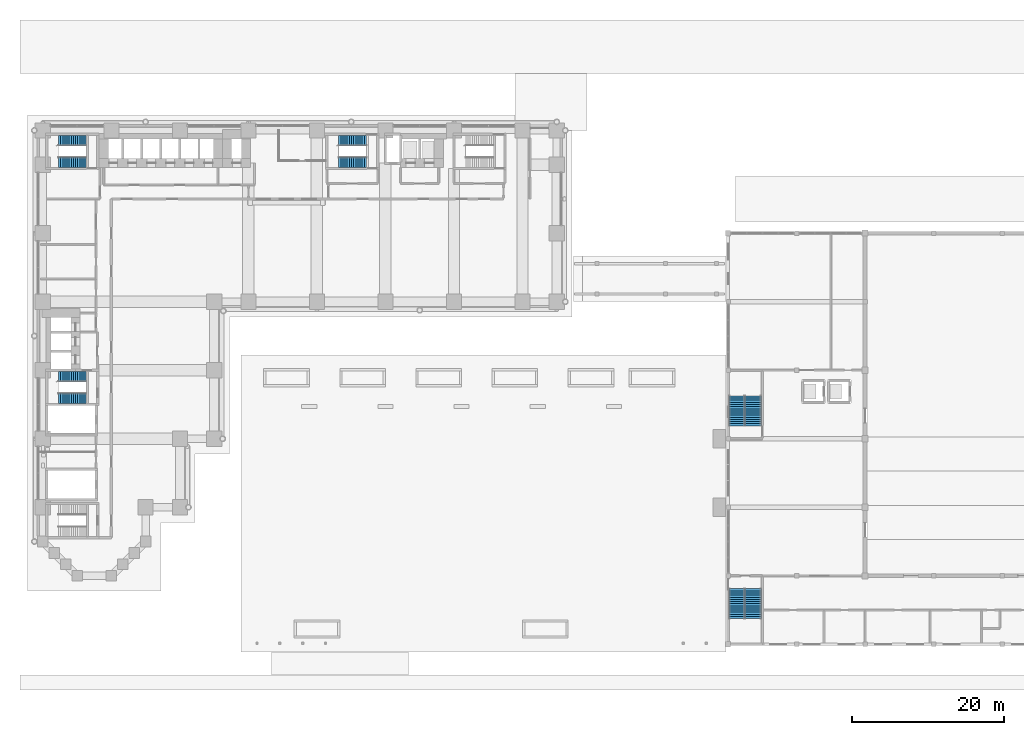
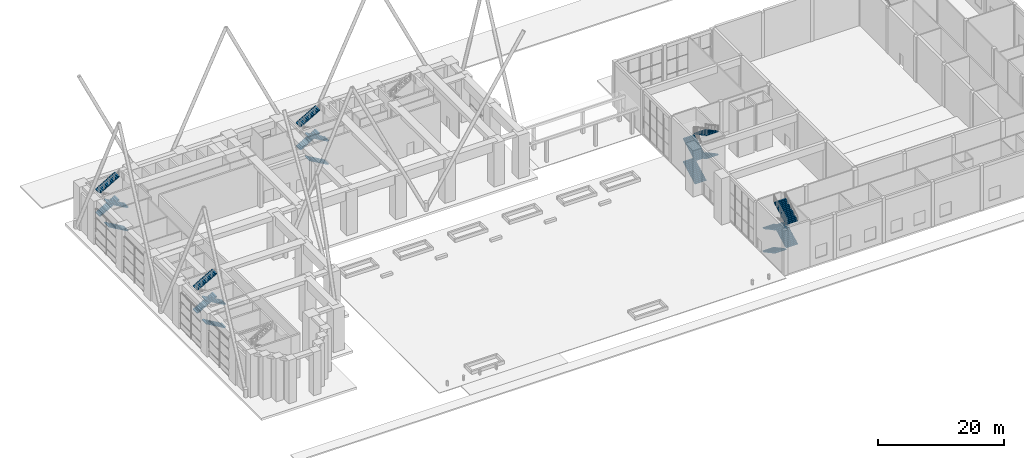
# One storey, part 36 of 44: 20 stair flights, 5 elements without a shape of their own.
"""IFC4 building model written with IfcOpenShell, lengths in metres."""

import ifcopenshell
import ifcopenshell.guid

model = None  # the IFC model being written
_history = None  # IfcOwnerHistory: only IFC2X3 demands one
_inside = {}  # id of a spatial element -> (the spatial element, [elements in it])
_under = {}  # id of a project, library or spatial element -> (it, [spatial elements below it])
_declared = {}  # id of a project -> (the project, [libraries it declares])
_typed = {}  # id of a type object -> (the type object, [elements of that type])
_made_of = {}  # id of a material, layer set ... -> (it, [elements and type objects made of it])


def new_model(schema):
    """Start an empty IFC model of exactly this schema.

    Asked for "IFC4X3", IfcOpenShell would pick the latest addendum, in which some entities
    have other attributes; the version numbers below select the first issue.
    IFC2X3 requires an IfcOwnerHistory on every rooted entity: one is made here for all.
    """
    global model, _history
    if schema == "IFC4X3":
        model = ifcopenshell.file(schema_version=(4, 3, 0, 0))
    else:
        model = ifcopenshell.file(schema=schema)
    _inside.clear()
    _under.clear()
    _declared.clear()
    _typed.clear()
    _made_of.clear()
    _history = None
    if model.schema == "IFC2X3":
        org = make("IfcOrganization", Name="unknown")
        user = make(
            "IfcPersonAndOrganization",
            ThePerson=make("IfcPerson", FamilyName="unknown"),
            TheOrganization=org,
        )
        app = make(
            "IfcApplication",
            ApplicationDeveloper=org,
            Version="unknown",
            ApplicationFullName="unknown",
            ApplicationIdentifier="unknown",
        )
        _history = make(
            "IfcOwnerHistory",
            OwningUser=user,
            OwningApplication=app,
            ChangeAction="ADDED",
            CreationDate=0,
        )
    return model


def make(cls, **values):
    """One entity of the class cls with the attributes given. An attribute that is None is left unset."""
    return model.create_entity(
        cls, **{name: value for name, value in values.items() if value is not None}
    )


def rooted(cls, **values):
    """An entity with a GlobalId (a new one), such as an element, a storey or a relation."""
    return make(cls, GlobalId=ifcopenshell.guid.new(), OwnerHistory=_history, **values)


def si_unit(unit_type, name, prefix=None):
    """IfcSIUnit, for example si_unit("LENGTHUNIT", "METRE", prefix="MILLI")."""
    return make("IfcSIUnit", UnitType=unit_type, Prefix=prefix, Name=name)


def assignment(units):
    """IfcUnitAssignment: the units of a project."""
    return None if units is None else make("IfcUnitAssignment", Units=units)


def point(xyz):
    """IfcCartesianPoint."""
    return None if xyz is None else make("IfcCartesianPoint", Coordinates=xyz)


def direction(xyz):
    """IfcDirection."""
    return None if xyz is None else make("IfcDirection", DirectionRatios=xyz)


def frame(location, z_axis=None, x_axis=None):
    """IfcAxis2Placement3D, a coordinate frame: its origin and axes. An axis left out is left unset."""
    return make(
        "IfcAxis2Placement3D",
        Location=point(location),
        Axis=direction(z_axis),
        RefDirection=direction(x_axis),
    )


def origin():
    """The frame at (0, 0, 0) with its axes left unset."""
    return frame((0.0, 0.0, 0.0))


def place(relative_to, where):
    """IfcLocalPlacement: puts the frame where relative to a parent placement (None: the world)."""
    return make(
        "IfcLocalPlacement", PlacementRelTo=relative_to, RelativePlacement=where
    )


def context(
    kind, dimensions, precision=None, world=None, true_north=None, identifier=None
):
    """IfcGeometricRepresentationContext, for example the 3D "Model" context."""
    return make(
        "IfcGeometricRepresentationContext",
        ContextIdentifier=identifier,
        ContextType=kind,
        CoordinateSpaceDimension=dimensions,
        Precision=precision,
        WorldCoordinateSystem=world,
        TrueNorth=true_north,
    )


def subcontext(parent, identifier, kind, view, scale=None):
    """IfcGeometricRepresentationSubContext, for example "Body" below "Model"."""
    return make(
        "IfcGeometricRepresentationSubContext",
        ContextIdentifier=identifier,
        ContextType=kind,
        ParentContext=parent,
        TargetScale=scale,
        TargetView=view,
    )


def project(units=None, contexts=None):
    """IfcProject with its units and contexts."""
    return rooted(
        "IfcProject",
        Name="project",
        RepresentationContexts=contexts,
        UnitsInContext=assignment(units),
    )


def spatial(cls, under=None, at=None, **own):
    """A site, building, storey or space (cls), placed at a placement, below another one or the project."""
    s = rooted(cls, ObjectPlacement=at, **own)
    if under is not None:
        _under.setdefault(under.id(), (under, []))[1].append(s)
    return s


def polyline(points):
    """IfcPolyline through the points."""
    return make("IfcPolyline", Points=[point(p) for p in points])


def outline(outer, holes=None, kind="AREA"):
    """IfcArbitraryClosedProfileDef: a profile drawn as a closed curve; with holes, ...WithVoids."""
    if holes is None:
        return make("IfcArbitraryClosedProfileDef", ProfileType=kind, OuterCurve=outer)
    return make(
        "IfcArbitraryProfileDefWithVoids",
        ProfileType=kind,
        OuterCurve=outer,
        InnerCurves=holes,
    )


def extrude(swept, where, along, depth):
    """IfcExtrudedAreaSolid: the profile swept, set in the frame where, extruded along a direction by depth."""
    return make(
        "IfcExtrudedAreaSolid",
        SweptArea=swept,
        Position=where,
        ExtrudedDirection=direction(along),
        Depth=depth,
    )


def shape(context_of_items, identifier, shape_type, items):
    """IfcShapeRepresentation: the items that make up one representation, for example the "Body"."""
    return make(
        "IfcShapeRepresentation",
        ContextOfItems=context_of_items,
        RepresentationIdentifier=identifier,
        RepresentationType=shape_type,
        Items=items,
    )


def material(Name=None, Category=None):
    """IfcMaterial."""
    return make("IfcMaterial", Name=Name, Category=Category)


def layer(
    of_material, thickness, ventilated=None, Name=None, Category=None, Priority=None
):
    """IfcMaterialLayer: one layer of a wall or slab, of a material (None: an air gap)."""
    return make(
        "IfcMaterialLayer",
        Material=of_material,
        LayerThickness=thickness,
        IsVentilated=ventilated,
        Name=Name,
        Category=Category,
        Priority=Priority,
    )


def layer_set(layers, Name=None):
    """IfcMaterialLayerSet."""
    return make("IfcMaterialLayerSet", MaterialLayers=layers, LayerSetName=Name)


def made_of(thing, what):
    """Note that an element or type object is made of a material, layer set ...; save() writes the relation."""
    if what is not None:
        _made_of.setdefault(what.id(), (what, []))[1].append(thing)
    return thing


def type_object(cls, material=None, **own):
    """A type object (cls), such as IfcWallType, which elements share."""
    return made_of(rooted(cls, **own), material)


def element(
    cls,
    number,
    at=None,
    inside=None,
    cuts=None,
    type_object=None,
    material=None,
    context=None,
    identifier="Body",
    shape_type=None,
    held_by="IfcProductDefinitionShape",
    body=None,
    shapes=None,
    **own,
):
    """One element of the class cls, such as IfcWall. Its Tag is "e" and its number.

    at: its placement. inside: the storey or other place that contains it. cuts: it is an
    opening in that element (IfcRelVoidsElement). A single representation is given by context,
    identifier, shape_type and body (its items); several are given by shapes. held_by: the class
    of the entity that holds the representations. save() writes the other relations.
    """
    e = rooted(cls, Tag="e%d" % number, ObjectPlacement=at, **own)
    if body is not None:
        shapes = [shape(context, identifier, shape_type, body)]
    if shapes is not None:
        e.Representation = make(held_by, Representations=shapes)
    if inside is not None:
        _inside.setdefault(inside.id(), (inside, []))[1].append(e)
    if cuts is not None:
        rooted(
            "IfcRelVoidsElement", RelatingBuildingElement=cuts, RelatedOpeningElement=e
        )
    if type_object is not None:
        _typed.setdefault(type_object.id(), (type_object, []))[1].append(e)
    return made_of(e, material)


def aggregate(whole, parts):
    """IfcRelAggregates: a whole, such as a stair, and the parts it consists of."""
    return rooted("IfcRelAggregates", RelatingObject=whole, RelatedObjects=parts)


def save(model, path):
    """Write the relations noted so far, then the file.

    IfcRelAggregates (storeys below a building ...), IfcRelContainedInSpatialStructure (elements
    in a storey), IfcRelDefinesByType, IfcRelAssociatesMaterial and IfcRelDeclares: one each for
    every whole, place, type object, material and project.
    """
    for whole, parts in _under.values():
        aggregate(whole, parts)
    for where, things in _inside.values():
        rooted(
            "IfcRelContainedInSpatialStructure",
            RelatedElements=things,
            RelatingStructure=where,
        )
    for kind, things in _typed.values():
        rooted("IfcRelDefinesByType", RelatedObjects=things, RelatingType=kind)
    for what, things in _made_of.values():
        rooted("IfcRelAssociatesMaterial", RelatedObjects=things, RelatingMaterial=what)
    for by, libraries in _declared.values():
        rooted("IfcRelDeclares", RelatingContext=by, RelatedDefinitions=libraries)
    model.write(path)


model = new_model("IFC4")

# Units and contexts
model_context = context("Model", 3, precision=1e-05, world=origin(), true_north=direction((0.0, 1.0)))
body_context = subcontext(model_context, "Body", "Model", "MODEL_VIEW")
ifc_project = project(units=[si_unit("LENGTHUNIT", "METRE"), si_unit("AREAUNIT", "SQUARE_METRE"), si_unit("VOLUMEUNIT", "CUBIC_METRE"), si_unit("PLANEANGLEUNIT", "RADIAN"), si_unit("MASSUNIT", "GRAM", prefix="KILO")], contexts=[model_context])

# Site, building, storey
site_placement = place(None, origin())
site = spatial("IfcSite", under=ifc_project, at=site_placement, CompositionType="ELEMENT")
building_placement = place(site_placement, origin())
building = spatial("IfcBuilding", under=site, at=building_placement, Name="Firuza Court", CompositionType="ELEMENT")
storey_placement = place(building_placement, origin())
storey = spatial("IfcBuildingStorey", under=building, at=storey_placement, Name="L00", CompositionType="ELEMENT", Elevation=0.0)

# Stair, stair flights
ifc_material_1 = material(Name="Concrete C40/50 precast", Category="concrete")
stair_type_1 = type_object("IfcStairType", Name="Stair 1350 x 9000 4 flights", PredefinedType="QUARTER_TURN_STAIR", material=ifc_material_1)
stair_1_placement = place(storey_placement, origin())
stair_1 = element("IfcStair", 1, at=stair_1_placement, inside=storey, type_object=stair_type_1, Name="Stair 1 L00", PredefinedType="QUARTER_TURN_STAIR")
ifc_material_2 = material(Name="Concrete C40/50 precast", Category="concrete")
stair_flight_type_1 = type_object("IfcStairFlightType", Name="Flight 1350 riser 160.7", PredefinedType="STRAIGHT", material=ifc_material_2)
stair_flight_1_placement = place(storey_placement, frame((42.5, 54.324951171875, 0.0), z_axis=(0.0, 0.0, 1.0), x_axis=(-1.0, 0.0, 0.0)))
stair_flight_1 = element("IfcStairFlight", 2, at=stair_flight_1_placement, type_object=stair_flight_type_1, Name="S1 flight 1", NumberOfRisers=14, NumberOfTreads=13, PredefinedType="STRAIGHT", RiserHeight=0.160714286, TreadLength=0.28, context=body_context, shape_type="SweptSolid", body=[
    extrude(outline(polyline([(0.0, 0.0), (0.0, 0.16064453125), (0.280029296875, 0.16064453125), (0.280029296875, 0.321533203125), (0.56005859375, 0.321533203125), (0.56005859375, 0.482177734375), (0.840087890625, 0.482177734375), (0.840087890625, 0.642822265625), (1.1201171875, 0.642822265625), (1.1201171875, 0.803466796875), (1.39990234375, 0.803466796875), (1.39990234375, 0.96435546875), (1.679931640625, 0.96435546875), (1.679931640625, 1.125), (1.9599609375, 1.125), (1.9599609375, 1.28564453125), (2.239990234375, 1.28564453125), (2.239990234375, 1.446533203125), (2.52001953125, 1.446533203125), (2.52001953125, 1.607177734375), (2.800048828125, 1.607177734375), (2.800048828125, 1.767822265625), (3.080078125, 1.767822265625), (3.080078125, 1.928466796875), (3.360107421875, 1.928466796875), (3.360107421875, 2.08935546875), (3.639892578125, 2.08935546875), (3.639892578125, 2.25), (3.639892578125, 1.91650390625), (0.301025390625, 0.0), (0.0, 0.0)])), frame((0.0, 0.675048828125, 0.0), z_axis=(0.0, -1.0, 0.0), x_axis=(1.0, 0.0, 0.0)), (0.0, 0.0, 1.0), 1.35009765625),
])
stair_flight_2_placement = place(storey_placement, frame((38.860107421875, 57.175048828125, 2.25), z_axis=(0.0, 0.0, 1.0), x_axis=(1.0, 0.0, 0.0)))
stair_flight_2 = element("IfcStairFlight", 3, at=stair_flight_2_placement, type_object=stair_flight_type_1, Name="S1 flight 2", NumberOfRisers=14, NumberOfTreads=13, PredefinedType="STRAIGHT", RiserHeight=0.160714286, TreadLength=0.28, context=body_context, shape_type="SweptSolid", body=[
    extrude(outline(polyline([(0.0, 0.0), (0.0, 0.16064453125), (0.280029296875, 0.16064453125), (0.280029296875, 0.321533203125), (0.56005859375, 0.321533203125), (0.56005859375, 0.482177734375), (0.840087890625, 0.482177734375), (0.840087890625, 0.642822265625), (1.1201171875, 0.642822265625), (1.1201171875, 0.803466796875), (1.39990234375, 0.803466796875), (1.39990234375, 0.96435546875), (1.679931640625, 0.96435546875), (1.679931640625, 1.125), (1.9599609375, 1.125), (1.9599609375, 1.28564453125), (2.239990234375, 1.28564453125), (2.239990234375, 1.446533203125), (2.52001953125, 1.446533203125), (2.52001953125, 1.607177734375), (2.800048828125, 1.607177734375), (2.800048828125, 1.767822265625), (3.080078125, 1.767822265625), (3.080078125, 1.928466796875), (3.360107421875, 1.928466796875), (3.360107421875, 2.08935546875), (3.639892578125, 2.08935546875), (3.639892578125, 2.25), (3.639892578125, 1.91650390625), (0.301025390625, 0.0), (0.0, 0.0)])), frame((0.0, 0.675048828125, 0.0), z_axis=(0.0, -1.0, 0.0), x_axis=(1.0, 0.0, 0.0)), (0.0, 0.0, 1.0), 1.35009765625),
])
stair_flight_3_placement = place(storey_placement, frame((42.5, 54.324951171875, 4.5), z_axis=(0.0, 0.0, 1.0), x_axis=(-1.0, 0.0, 0.0)))
stair_flight_3 = element("IfcStairFlight", 4, at=stair_flight_3_placement, type_object=stair_flight_type_1, Name="S1 flight 3", NumberOfRisers=14, NumberOfTreads=13, PredefinedType="STRAIGHT", RiserHeight=0.160714286, TreadLength=0.28, context=body_context, shape_type="SweptSolid", body=[
    extrude(outline(polyline([(0.0, 0.0), (0.0, 0.16064453125), (0.280029296875, 0.16064453125), (0.280029296875, 0.321533203125), (0.56005859375, 0.321533203125), (0.56005859375, 0.482177734375), (0.840087890625, 0.482177734375), (0.840087890625, 0.642822265625), (1.1201171875, 0.642822265625), (1.1201171875, 0.803466796875), (1.39990234375, 0.803466796875), (1.39990234375, 0.96435546875), (1.679931640625, 0.96435546875), (1.679931640625, 1.125), (1.9599609375, 1.125), (1.9599609375, 1.28564453125), (2.239990234375, 1.28564453125), (2.239990234375, 1.446533203125), (2.52001953125, 1.446533203125), (2.52001953125, 1.607177734375), (2.800048828125, 1.607177734375), (2.800048828125, 1.767822265625), (3.080078125, 1.767822265625), (3.080078125, 1.928466796875), (3.360107421875, 1.928466796875), (3.360107421875, 2.08935546875), (3.639892578125, 2.08935546875), (3.639892578125, 2.25), (3.639892578125, 1.91650390625), (0.301025390625, 0.0), (0.0, 0.0)])), frame((0.0, 0.675048828125, 0.0), z_axis=(0.0, -1.0, 0.0), x_axis=(1.0, 0.0, 0.0)), (0.0, 0.0, 1.0), 1.35009765625),
])
stair_flight_4_placement = place(storey_placement, frame((38.860107421875, 57.175048828125, 6.75), z_axis=(0.0, 0.0, 1.0), x_axis=(1.0, 0.0, 0.0)))
stair_flight_4 = element("IfcStairFlight", 5, at=stair_flight_4_placement, type_object=stair_flight_type_1, Name="S1 flight 4", NumberOfRisers=14, NumberOfTreads=13, PredefinedType="STRAIGHT", RiserHeight=0.160714286, TreadLength=0.28, context=body_context, shape_type="SweptSolid", body=[
    extrude(outline(polyline([(0.0, 0.0), (0.0, 0.16064453125), (0.280029296875, 0.16064453125), (0.280029296875, 0.321533203125), (0.56005859375, 0.321533203125), (0.56005859375, 0.482177734375), (0.840087890625, 0.482177734375), (0.840087890625, 0.642822265625), (1.1201171875, 0.642822265625), (1.1201171875, 0.803466796875), (1.39990234375, 0.803466796875), (1.39990234375, 0.96435546875), (1.679931640625, 0.96435546875), (1.679931640625, 1.125), (1.9599609375, 1.125), (1.9599609375, 1.28564453125), (2.239990234375, 1.28564453125), (2.239990234375, 1.446533203125), (2.52001953125, 1.446533203125), (2.52001953125, 1.607177734375), (2.800048828125, 1.607177734375), (2.800048828125, 1.767822265625), (3.080078125, 1.767822265625), (3.080078125, 1.928466796875), (3.360107421875, 1.928466796875), (3.360107421875, 2.08935546875), (3.639892578125, 2.08935546875), (3.639892578125, 2.25), (3.639892578125, 1.91650390625), (0.301025390625, 0.0), (0.0, 0.0)])), frame((0.0, 0.675048828125, 0.0), z_axis=(0.0, -1.0, 0.0), x_axis=(1.0, 0.0, 0.0)), (0.0, 0.0, 1.0), 1.35009765625),
])
aggregate(stair_1, [stair_flight_1, stair_flight_2, stair_flight_3, stair_flight_4])

stair_2_placement = place(storey_placement, origin())
stair_2 = element("IfcStair", 6, at=stair_2_placement, inside=storey, type_object=stair_type_1, Name="Stair 2 L00", PredefinedType="QUARTER_TURN_STAIR")
stair_flight_5_placement = place(storey_placement, frame((5.699951171875, 23.324951171875, 0.0), z_axis=(0.0, 0.0, 1.0), x_axis=(-1.0, 0.0, 0.0)))
stair_flight_5 = element("IfcStairFlight", 7, at=stair_flight_5_placement, type_object=stair_flight_type_1, Name="S2 flight 1", NumberOfRisers=14, NumberOfTreads=13, PredefinedType="STRAIGHT", RiserHeight=0.160714286, TreadLength=0.28, context=body_context, shape_type="SweptSolid", body=[
    extrude(outline(polyline([(0.0, 0.0), (0.0, 0.16064453125), (0.280029296875, 0.16064453125), (0.280029296875, 0.321533203125), (0.56005859375, 0.321533203125), (0.56005859375, 0.482177734375), (0.840087890625, 0.482177734375), (0.840087890625, 0.642822265625), (1.1201171875, 0.642822265625), (1.1201171875, 0.803466796875), (1.39990234375, 0.803466796875), (1.39990234375, 0.96435546875), (1.679931640625, 0.96435546875), (1.679931640625, 1.125), (1.9599609375, 1.125), (1.9599609375, 1.28564453125), (2.239990234375, 1.28564453125), (2.239990234375, 1.446533203125), (2.52001953125, 1.446533203125), (2.52001953125, 1.607177734375), (2.800048828125, 1.607177734375), (2.800048828125, 1.767822265625), (3.080078125, 1.767822265625), (3.080078125, 1.928466796875), (3.360107421875, 1.928466796875), (3.360107421875, 2.08935546875), (3.639892578125, 2.08935546875), (3.639892578125, 2.25), (3.639892578125, 1.91650390625), (0.301025390625, 0.0), (0.0, 0.0)])), frame((0.0, 0.675048828125, 0.0), z_axis=(0.0, -1.0, 0.0), x_axis=(1.0, 0.0, 0.0)), (0.0, 0.0, 1.0), 1.35009765625),
])
stair_flight_6_placement = place(storey_placement, frame((2.06005859375, 26.175048828125, 2.25), z_axis=(0.0, 0.0, 1.0), x_axis=(1.0, 0.0, 0.0)))
stair_flight_6 = element("IfcStairFlight", 8, at=stair_flight_6_placement, type_object=stair_flight_type_1, Name="S2 flight 2", NumberOfRisers=14, NumberOfTreads=13, PredefinedType="STRAIGHT", RiserHeight=0.160714286, TreadLength=0.28, context=body_context, shape_type="SweptSolid", body=[
    extrude(outline(polyline([(0.0, 0.0), (0.0, 0.16064453125), (0.280029296875, 0.16064453125), (0.280029296875, 0.321533203125), (0.56005859375, 0.321533203125), (0.56005859375, 0.482177734375), (0.840087890625, 0.482177734375), (0.840087890625, 0.642822265625), (1.1201171875, 0.642822265625), (1.1201171875, 0.803466796875), (1.39990234375, 0.803466796875), (1.39990234375, 0.96435546875), (1.679931640625, 0.96435546875), (1.679931640625, 1.125), (1.9599609375, 1.125), (1.9599609375, 1.28564453125), (2.239990234375, 1.28564453125), (2.239990234375, 1.446533203125), (2.52001953125, 1.446533203125), (2.52001953125, 1.607177734375), (2.800048828125, 1.607177734375), (2.800048828125, 1.767822265625), (3.080078125, 1.767822265625), (3.080078125, 1.928466796875), (3.360107421875, 1.928466796875), (3.360107421875, 2.08935546875), (3.639892578125, 2.08935546875), (3.639892578125, 2.25), (3.639892578125, 1.91650390625), (0.301025390625, 0.0), (0.0, 0.0)])), frame((0.0, 0.675048828125, 0.0), z_axis=(0.0, -1.0, 0.0), x_axis=(1.0, 0.0, 0.0)), (0.0, 0.0, 1.0), 1.35009765625),
])
stair_flight_7_placement = place(storey_placement, frame((5.699951171875, 23.324951171875, 4.5), z_axis=(0.0, 0.0, 1.0), x_axis=(-1.0, 0.0, 0.0)))
stair_flight_7 = element("IfcStairFlight", 9, at=stair_flight_7_placement, type_object=stair_flight_type_1, Name="S2 flight 3", NumberOfRisers=14, NumberOfTreads=13, PredefinedType="STRAIGHT", RiserHeight=0.160714286, TreadLength=0.28, context=body_context, shape_type="SweptSolid", body=[
    extrude(outline(polyline([(0.0, 0.0), (0.0, 0.16064453125), (0.280029296875, 0.16064453125), (0.280029296875, 0.321533203125), (0.56005859375, 0.321533203125), (0.56005859375, 0.482177734375), (0.840087890625, 0.482177734375), (0.840087890625, 0.642822265625), (1.1201171875, 0.642822265625), (1.1201171875, 0.803466796875), (1.39990234375, 0.803466796875), (1.39990234375, 0.96435546875), (1.679931640625, 0.96435546875), (1.679931640625, 1.125), (1.9599609375, 1.125), (1.9599609375, 1.28564453125), (2.239990234375, 1.28564453125), (2.239990234375, 1.446533203125), (2.52001953125, 1.446533203125), (2.52001953125, 1.607177734375), (2.800048828125, 1.607177734375), (2.800048828125, 1.767822265625), (3.080078125, 1.767822265625), (3.080078125, 1.928466796875), (3.360107421875, 1.928466796875), (3.360107421875, 2.08935546875), (3.639892578125, 2.08935546875), (3.639892578125, 2.25), (3.639892578125, 1.91650390625), (0.301025390625, 0.0), (0.0, 0.0)])), frame((0.0, 0.675048828125, 0.0), z_axis=(0.0, -1.0, 0.0), x_axis=(1.0, 0.0, 0.0)), (0.0, 0.0, 1.0), 1.35009765625),
])
stair_flight_8_placement = place(storey_placement, frame((2.06005859375, 26.175048828125, 6.75), z_axis=(0.0, 0.0, 1.0), x_axis=(1.0, 0.0, 0.0)))
stair_flight_8 = element("IfcStairFlight", 10, at=stair_flight_8_placement, type_object=stair_flight_type_1, Name="S2 flight 4", NumberOfRisers=14, NumberOfTreads=13, PredefinedType="STRAIGHT", RiserHeight=0.160714286, TreadLength=0.28, context=body_context, shape_type="SweptSolid", body=[
    extrude(outline(polyline([(0.0, 0.0), (0.0, 0.16064453125), (0.280029296875, 0.16064453125), (0.280029296875, 0.321533203125), (0.56005859375, 0.321533203125), (0.56005859375, 0.482177734375), (0.840087890625, 0.482177734375), (0.840087890625, 0.642822265625), (1.1201171875, 0.642822265625), (1.1201171875, 0.803466796875), (1.39990234375, 0.803466796875), (1.39990234375, 0.96435546875), (1.679931640625, 0.96435546875), (1.679931640625, 1.125), (1.9599609375, 1.125), (1.9599609375, 1.28564453125), (2.239990234375, 1.28564453125), (2.239990234375, 1.446533203125), (2.52001953125, 1.446533203125), (2.52001953125, 1.607177734375), (2.800048828125, 1.607177734375), (2.800048828125, 1.767822265625), (3.080078125, 1.767822265625), (3.080078125, 1.928466796875), (3.360107421875, 1.928466796875), (3.360107421875, 2.08935546875), (3.639892578125, 2.08935546875), (3.639892578125, 2.25), (3.639892578125, 1.91650390625), (0.301025390625, 0.0), (0.0, 0.0)])), frame((0.0, 0.675048828125, 0.0), z_axis=(0.0, -1.0, 0.0), x_axis=(1.0, 0.0, 0.0)), (0.0, 0.0, 1.0), 1.35009765625),
])
aggregate(stair_2, [stair_flight_5, stair_flight_6, stair_flight_7, stair_flight_8])

stair_3_placement = place(storey_placement, origin())
stair_3 = element("IfcStair", 11, at=stair_3_placement, inside=storey, type_object=stair_type_1, Name="Stair 3 L00", PredefinedType="QUARTER_TURN_STAIR")
stair_flight_9_placement = place(storey_placement, frame((5.699951171875, 54.324951171875, 0.0), z_axis=(0.0, 0.0, 1.0), x_axis=(-1.0, 0.0, 0.0)))
stair_flight_9 = element("IfcStairFlight", 12, at=stair_flight_9_placement, type_object=stair_flight_type_1, Name="S3 flight 1", NumberOfRisers=14, NumberOfTreads=13, PredefinedType="STRAIGHT", RiserHeight=0.160714286, TreadLength=0.28, context=body_context, shape_type="SweptSolid", body=[
    extrude(outline(polyline([(0.0, 0.0), (0.0, 0.16064453125), (0.280029296875, 0.16064453125), (0.280029296875, 0.321533203125), (0.56005859375, 0.321533203125), (0.56005859375, 0.482177734375), (0.840087890625, 0.482177734375), (0.840087890625, 0.642822265625), (1.1201171875, 0.642822265625), (1.1201171875, 0.803466796875), (1.39990234375, 0.803466796875), (1.39990234375, 0.96435546875), (1.679931640625, 0.96435546875), (1.679931640625, 1.125), (1.9599609375, 1.125), (1.9599609375, 1.28564453125), (2.239990234375, 1.28564453125), (2.239990234375, 1.446533203125), (2.52001953125, 1.446533203125), (2.52001953125, 1.607177734375), (2.800048828125, 1.607177734375), (2.800048828125, 1.767822265625), (3.080078125, 1.767822265625), (3.080078125, 1.928466796875), (3.360107421875, 1.928466796875), (3.360107421875, 2.08935546875), (3.639892578125, 2.08935546875), (3.639892578125, 2.25), (3.639892578125, 1.91650390625), (0.301025390625, 0.0), (0.0, 0.0)])), frame((0.0, 0.675048828125, 0.0), z_axis=(0.0, -1.0, 0.0), x_axis=(1.0, 0.0, 0.0)), (0.0, 0.0, 1.0), 1.35009765625),
])
stair_flight_10_placement = place(storey_placement, frame((2.06005859375, 57.175048828125, 2.25), z_axis=(0.0, 0.0, 1.0), x_axis=(1.0, 0.0, 0.0)))
stair_flight_10 = element("IfcStairFlight", 13, at=stair_flight_10_placement, type_object=stair_flight_type_1, Name="S3 flight 2", NumberOfRisers=14, NumberOfTreads=13, PredefinedType="STRAIGHT", RiserHeight=0.160714286, TreadLength=0.28, context=body_context, shape_type="SweptSolid", body=[
    extrude(outline(polyline([(0.0, 0.0), (0.0, 0.16064453125), (0.280029296875, 0.16064453125), (0.280029296875, 0.321533203125), (0.56005859375, 0.321533203125), (0.56005859375, 0.482177734375), (0.840087890625, 0.482177734375), (0.840087890625, 0.642822265625), (1.1201171875, 0.642822265625), (1.1201171875, 0.803466796875), (1.39990234375, 0.803466796875), (1.39990234375, 0.96435546875), (1.679931640625, 0.96435546875), (1.679931640625, 1.125), (1.9599609375, 1.125), (1.9599609375, 1.28564453125), (2.239990234375, 1.28564453125), (2.239990234375, 1.446533203125), (2.52001953125, 1.446533203125), (2.52001953125, 1.607177734375), (2.800048828125, 1.607177734375), (2.800048828125, 1.767822265625), (3.080078125, 1.767822265625), (3.080078125, 1.928466796875), (3.360107421875, 1.928466796875), (3.360107421875, 2.08935546875), (3.639892578125, 2.08935546875), (3.639892578125, 2.25), (3.639892578125, 1.91650390625), (0.301025390625, 0.0), (0.0, 0.0)])), frame((0.0, 0.675048828125, 0.0), z_axis=(0.0, -1.0, 0.0), x_axis=(1.0, 0.0, 0.0)), (0.0, 0.0, 1.0), 1.35009765625),
])
stair_flight_11_placement = place(storey_placement, frame((5.699951171875, 54.324951171875, 4.5), z_axis=(0.0, 0.0, 1.0), x_axis=(-1.0, 0.0, 0.0)))
stair_flight_11 = element("IfcStairFlight", 14, at=stair_flight_11_placement, type_object=stair_flight_type_1, Name="S3 flight 3", NumberOfRisers=14, NumberOfTreads=13, PredefinedType="STRAIGHT", RiserHeight=0.160714286, TreadLength=0.28, context=body_context, shape_type="SweptSolid", body=[
    extrude(outline(polyline([(0.0, 0.0), (0.0, 0.16064453125), (0.280029296875, 0.16064453125), (0.280029296875, 0.321533203125), (0.56005859375, 0.321533203125), (0.56005859375, 0.482177734375), (0.840087890625, 0.482177734375), (0.840087890625, 0.642822265625), (1.1201171875, 0.642822265625), (1.1201171875, 0.803466796875), (1.39990234375, 0.803466796875), (1.39990234375, 0.96435546875), (1.679931640625, 0.96435546875), (1.679931640625, 1.125), (1.9599609375, 1.125), (1.9599609375, 1.28564453125), (2.239990234375, 1.28564453125), (2.239990234375, 1.446533203125), (2.52001953125, 1.446533203125), (2.52001953125, 1.607177734375), (2.800048828125, 1.607177734375), (2.800048828125, 1.767822265625), (3.080078125, 1.767822265625), (3.080078125, 1.928466796875), (3.360107421875, 1.928466796875), (3.360107421875, 2.08935546875), (3.639892578125, 2.08935546875), (3.639892578125, 2.25), (3.639892578125, 1.91650390625), (0.301025390625, 0.0), (0.0, 0.0)])), frame((0.0, 0.675048828125, 0.0), z_axis=(0.0, -1.0, 0.0), x_axis=(1.0, 0.0, 0.0)), (0.0, 0.0, 1.0), 1.35009765625),
])
stair_flight_12_placement = place(storey_placement, frame((2.06005859375, 57.175048828125, 6.75), z_axis=(0.0, 0.0, 1.0), x_axis=(1.0, 0.0, 0.0)))
stair_flight_12 = element("IfcStairFlight", 15, at=stair_flight_12_placement, type_object=stair_flight_type_1, Name="S3 flight 4", NumberOfRisers=14, NumberOfTreads=13, PredefinedType="STRAIGHT", RiserHeight=0.160714286, TreadLength=0.28, context=body_context, shape_type="SweptSolid", body=[
    extrude(outline(polyline([(0.0, 0.0), (0.0, 0.16064453125), (0.280029296875, 0.16064453125), (0.280029296875, 0.321533203125), (0.56005859375, 0.321533203125), (0.56005859375, 0.482177734375), (0.840087890625, 0.482177734375), (0.840087890625, 0.642822265625), (1.1201171875, 0.642822265625), (1.1201171875, 0.803466796875), (1.39990234375, 0.803466796875), (1.39990234375, 0.96435546875), (1.679931640625, 0.96435546875), (1.679931640625, 1.125), (1.9599609375, 1.125), (1.9599609375, 1.28564453125), (2.239990234375, 1.28564453125), (2.239990234375, 1.446533203125), (2.52001953125, 1.446533203125), (2.52001953125, 1.607177734375), (2.800048828125, 1.607177734375), (2.800048828125, 1.767822265625), (3.080078125, 1.767822265625), (3.080078125, 1.928466796875), (3.360107421875, 1.928466796875), (3.360107421875, 2.08935546875), (3.639892578125, 2.08935546875), (3.639892578125, 2.25), (3.639892578125, 1.91650390625), (0.301025390625, 0.0), (0.0, 0.0)])), frame((0.0, 0.675048828125, 0.0), z_axis=(0.0, -1.0, 0.0), x_axis=(1.0, 0.0, 0.0)), (0.0, 0.0, 1.0), 1.35009765625),
])
aggregate(stair_3, [stair_flight_9, stair_flight_10, stair_flight_11, stair_flight_12])

ifc_material_3 = material(Name="Concrete C40/50", Category="concrete")
stair_type_2 = type_object("IfcStairType", Name="HALL STAIR", PredefinedType="NOTDEFINED", material=ifc_material_3)
stair_4_placement = place(storey_placement, origin())
stair_4 = element("IfcStair", 16, at=stair_4_placement, inside=storey, type_object=stair_type_2, Name="Stair H1 L00", PredefinedType="NOTDEFINED")
ifc_material_4 = material(Name="Concrete C40/50", Category="concrete")
ifc_layer = layer(ifc_material_4, 0.14990234375)
ifc_layer_set = layer_set([ifc_layer], Name="Concrete C40/50")
stair_flight_type_2 = type_object("IfcStairFlightType", Name="HALL STAIR FLIGHT", PredefinedType="STRAIGHT", material=ifc_layer_set)
stair_flight_13_placement = place(storey_placement, frame((91.16259765625, -1.699951171875, 0.0), z_axis=(0.0, 0.0, 1.0), x_axis=(0.0, -1.0, 0.0)))
stair_flight_13 = element("IfcStairFlight", 17, at=stair_flight_13_placement, type_object=stair_flight_type_2, Name="HS-1 flight 1", NumberOfRisers=15, NumberOfTreads=14, PredefinedType="STRAIGHT", RiserHeight=0.15, TreadLength=0.28, context=body_context, shape_type="SweptSolid", body=[
    extrude(outline(polyline([(0.0, 0.0), (0.0, 0.14990234375), (0.280029296875, 0.14990234375), (0.280029296875, 0.300048828125), (0.56005859375, 0.300048828125), (0.56005859375, 0.449951171875), (0.840087890625, 0.449951171875), (0.840087890625, 0.60009765625), (1.1201171875, 0.60009765625), (1.1201171875, 0.75), (1.39990234375, 0.75), (1.39990234375, 0.89990234375), (1.679931640625, 0.89990234375), (1.679931640625, 1.050048828125), (1.9599609375, 1.050048828125), (1.9599609375, 1.199951171875), (2.239990234375, 1.199951171875), (2.239990234375, 1.35009765625), (2.52001953125, 1.35009765625), (2.52001953125, 1.5), (2.800048828125, 1.5), (2.800048828125, 1.64990234375), (3.080078125, 1.64990234375), (3.080078125, 1.800048828125), (3.360107421875, 1.800048828125), (3.360107421875, 1.949951171875), (3.639892578125, 1.949951171875), (3.639892578125, 2.10009765625), (3.919921875, 2.10009765625), (3.919921875, 2.25), (3.919921875, 1.929931640625), (0.3173828125, 0.0), (0.0, 0.0)])), frame((0.0, 1.03759765625, 0.0), z_axis=(0.0, -1.0, 0.0), x_axis=(1.0, 0.0, 0.0)), (0.0, 0.0, 1.0), 2.074951171875),
])
stair_flight_14_placement = place(storey_placement, frame((93.28759765625, -5.6201171875, 2.25), z_axis=(0.0, 0.0, 1.0), x_axis=(0.0, 1.0, 0.0)))
stair_flight_14 = element("IfcStairFlight", 18, at=stair_flight_14_placement, type_object=stair_flight_type_2, Name="HS-1 flight 2", NumberOfRisers=15, NumberOfTreads=14, PredefinedType="STRAIGHT", RiserHeight=0.15, TreadLength=0.28, context=body_context, shape_type="SweptSolid", body=[
    extrude(outline(polyline([(0.0, 0.0), (0.0, 0.14990234375), (0.280029296875, 0.14990234375), (0.280029296875, 0.300048828125), (0.56005859375, 0.300048828125), (0.56005859375, 0.449951171875), (0.840087890625, 0.449951171875), (0.840087890625, 0.60009765625), (1.1201171875, 0.60009765625), (1.1201171875, 0.75), (1.39990234375, 0.75), (1.39990234375, 0.89990234375), (1.679931640625, 0.89990234375), (1.679931640625, 1.050048828125), (1.9599609375, 1.050048828125), (1.9599609375, 1.199951171875), (2.239990234375, 1.199951171875), (2.239990234375, 1.35009765625), (2.52001953125, 1.35009765625), (2.52001953125, 1.5), (2.800048828125, 1.5), (2.800048828125, 1.64990234375), (3.080078125, 1.64990234375), (3.080078125, 1.800048828125), (3.360107421875, 1.800048828125), (3.360107421875, 1.949951171875), (3.639892578125, 1.949951171875), (3.639892578125, 2.10009765625), (3.919921875, 2.10009765625), (3.919921875, 2.25), (3.919921875, 1.929931640625), (0.3173828125, 0.0), (0.0, 0.0)])), frame((0.0, 1.08740234375, 0.0), z_axis=(0.0, -1.0, 0.0), x_axis=(1.0, 0.0, 0.0)), (0.0, 0.0, 1.0), 2.175048828125),
])
stair_flight_15_placement = place(storey_placement, frame((91.16259765625, -1.699951171875, 4.5), z_axis=(0.0, 0.0, 1.0), x_axis=(0.0, -1.0, 0.0)))
stair_flight_15 = element("IfcStairFlight", 19, at=stair_flight_15_placement, type_object=stair_flight_type_2, Name="HS-1 flight 3", NumberOfRisers=15, NumberOfTreads=14, PredefinedType="STRAIGHT", RiserHeight=0.15, TreadLength=0.28, context=body_context, shape_type="SweptSolid", body=[
    extrude(outline(polyline([(0.0, 0.0), (0.0, 0.14990234375), (0.280029296875, 0.14990234375), (0.280029296875, 0.300048828125), (0.56005859375, 0.300048828125), (0.56005859375, 0.449951171875), (0.840087890625, 0.449951171875), (0.840087890625, 0.60009765625), (1.1201171875, 0.60009765625), (1.1201171875, 0.75), (1.39990234375, 0.75), (1.39990234375, 0.89990234375), (1.679931640625, 0.89990234375), (1.679931640625, 1.050048828125), (1.9599609375, 1.050048828125), (1.9599609375, 1.199951171875), (2.239990234375, 1.199951171875), (2.239990234375, 1.35009765625), (2.52001953125, 1.35009765625), (2.52001953125, 1.5), (2.800048828125, 1.5), (2.800048828125, 1.64990234375), (3.080078125, 1.64990234375), (3.080078125, 1.800048828125), (3.360107421875, 1.800048828125), (3.360107421875, 1.949951171875), (3.639892578125, 1.949951171875), (3.639892578125, 2.10009765625), (3.919921875, 2.10009765625), (3.919921875, 2.25), (3.919921875, 1.929931640625), (0.3173828125, 0.0), (0.0, 0.0)])), frame((0.0, 1.03759765625, 0.0), z_axis=(0.0, -1.0, 0.0), x_axis=(1.0, 0.0, 0.0)), (0.0, 0.0, 1.0), 2.074951171875),
])
stair_flight_16_placement = place(storey_placement, frame((93.28759765625, -5.6201171875, 6.75), z_axis=(0.0, 0.0, 1.0), x_axis=(0.0, 1.0, 0.0)))
stair_flight_16 = element("IfcStairFlight", 20, at=stair_flight_16_placement, type_object=stair_flight_type_2, Name="HS-1 flight 4", NumberOfRisers=15, NumberOfTreads=14, PredefinedType="STRAIGHT", RiserHeight=0.15, TreadLength=0.28, context=body_context, shape_type="SweptSolid", body=[
    extrude(outline(polyline([(0.0, 0.0), (0.0, 0.14990234375), (0.280029296875, 0.14990234375), (0.280029296875, 0.300048828125), (0.56005859375, 0.300048828125), (0.56005859375, 0.449951171875), (0.840087890625, 0.449951171875), (0.840087890625, 0.60009765625), (1.1201171875, 0.60009765625), (1.1201171875, 0.75), (1.39990234375, 0.75), (1.39990234375, 0.89990234375), (1.679931640625, 0.89990234375), (1.679931640625, 1.050048828125), (1.9599609375, 1.050048828125), (1.9599609375, 1.199951171875), (2.239990234375, 1.199951171875), (2.239990234375, 1.35009765625), (2.52001953125, 1.35009765625), (2.52001953125, 1.5), (2.800048828125, 1.5), (2.800048828125, 1.64990234375), (3.080078125, 1.64990234375), (3.080078125, 1.800048828125), (3.360107421875, 1.800048828125), (3.360107421875, 1.949951171875), (3.639892578125, 1.949951171875), (3.639892578125, 2.10009765625), (3.919921875, 2.10009765625), (3.919921875, 2.25), (3.919921875, 1.929931640625), (0.3173828125, 0.0), (0.0, 0.0)])), frame((0.0, 1.08740234375, 0.0), z_axis=(0.0, -1.0, 0.0), x_axis=(1.0, 0.0, 0.0)), (0.0, 0.0, 1.0), 2.175048828125),
])
aggregate(stair_4, [stair_flight_13, stair_flight_14, stair_flight_15, stair_flight_16])

stair_5_placement = place(storey_placement, origin())
stair_5 = element("IfcStair", 21, at=stair_5_placement, inside=storey, type_object=stair_type_2, Name="Stair H3 L00", PredefinedType="NOTDEFINED")
stair_flight_17_placement = place(storey_placement, frame((91.16259765625, 19.699951171875, 0.0), z_axis=(0.0, 0.0, 1.0), x_axis=(0.0, 1.0, 0.0)))
stair_flight_17 = element("IfcStairFlight", 22, at=stair_flight_17_placement, type_object=stair_flight_type_2, Name="HS-3 flight 1", NumberOfRisers=15, NumberOfTreads=14, PredefinedType="STRAIGHT", RiserHeight=0.15, TreadLength=0.28, context=body_context, shape_type="SweptSolid", body=[
    extrude(outline(polyline([(0.0, 0.0), (0.0, 0.14990234375), (0.280029296875, 0.14990234375), (0.280029296875, 0.300048828125), (0.56005859375, 0.300048828125), (0.56005859375, 0.449951171875), (0.840087890625, 0.449951171875), (0.840087890625, 0.60009765625), (1.1201171875, 0.60009765625), (1.1201171875, 0.75), (1.39990234375, 0.75), (1.39990234375, 0.89990234375), (1.679931640625, 0.89990234375), (1.679931640625, 1.050048828125), (1.9599609375, 1.050048828125), (1.9599609375, 1.199951171875), (2.239990234375, 1.199951171875), (2.239990234375, 1.35009765625), (2.52001953125, 1.35009765625), (2.52001953125, 1.5), (2.800048828125, 1.5), (2.800048828125, 1.64990234375), (3.080078125, 1.64990234375), (3.080078125, 1.800048828125), (3.360107421875, 1.800048828125), (3.360107421875, 1.949951171875), (3.639892578125, 1.949951171875), (3.639892578125, 2.10009765625), (3.919921875, 2.10009765625), (3.919921875, 2.25), (3.919921875, 1.929931640625), (0.3173828125, 0.0), (0.0, 0.0)])), frame((0.0, 1.03759765625, 0.0), z_axis=(0.0, -1.0, 0.0), x_axis=(1.0, 0.0, 0.0)), (0.0, 0.0, 1.0), 2.074951171875),
])
stair_flight_18_placement = place(storey_placement, frame((93.28759765625, 23.6201171875, 2.25), z_axis=(0.0, 0.0, 1.0), x_axis=(0.0, -1.0, 0.0)))
stair_flight_18 = element("IfcStairFlight", 23, at=stair_flight_18_placement, type_object=stair_flight_type_2, Name="HS-3 flight 2", NumberOfRisers=15, NumberOfTreads=14, PredefinedType="STRAIGHT", RiserHeight=0.15, TreadLength=0.28, context=body_context, shape_type="SweptSolid", body=[
    extrude(outline(polyline([(0.0, 0.0), (0.0, 0.14990234375), (0.280029296875, 0.14990234375), (0.280029296875, 0.300048828125), (0.56005859375, 0.300048828125), (0.56005859375, 0.449951171875), (0.840087890625, 0.449951171875), (0.840087890625, 0.60009765625), (1.1201171875, 0.60009765625), (1.1201171875, 0.75), (1.39990234375, 0.75), (1.39990234375, 0.89990234375), (1.679931640625, 0.89990234375), (1.679931640625, 1.050048828125), (1.9599609375, 1.050048828125), (1.9599609375, 1.199951171875), (2.239990234375, 1.199951171875), (2.239990234375, 1.35009765625), (2.52001953125, 1.35009765625), (2.52001953125, 1.5), (2.800048828125, 1.5), (2.800048828125, 1.64990234375), (3.080078125, 1.64990234375), (3.080078125, 1.800048828125), (3.360107421875, 1.800048828125), (3.360107421875, 1.949951171875), (3.639892578125, 1.949951171875), (3.639892578125, 2.10009765625), (3.919921875, 2.10009765625), (3.919921875, 2.25), (3.919921875, 1.929931640625), (0.3173828125, 0.0), (0.0, 0.0)])), frame((0.0, 1.08740234375, 0.0), z_axis=(0.0, -1.0, 0.0), x_axis=(1.0, 0.0, 0.0)), (0.0, 0.0, 1.0), 2.175048828125),
])
stair_flight_19_placement = place(storey_placement, frame((91.16259765625, 19.699951171875, 4.5), z_axis=(0.0, 0.0, 1.0), x_axis=(0.0, 1.0, 0.0)))
stair_flight_19 = element("IfcStairFlight", 24, at=stair_flight_19_placement, type_object=stair_flight_type_2, Name="HS-3 flight 3", NumberOfRisers=15, NumberOfTreads=14, PredefinedType="STRAIGHT", RiserHeight=0.15, TreadLength=0.28, context=body_context, shape_type="SweptSolid", body=[
    extrude(outline(polyline([(0.0, 0.0), (0.0, 0.14990234375), (0.280029296875, 0.14990234375), (0.280029296875, 0.300048828125), (0.56005859375, 0.300048828125), (0.56005859375, 0.449951171875), (0.840087890625, 0.449951171875), (0.840087890625, 0.60009765625), (1.1201171875, 0.60009765625), (1.1201171875, 0.75), (1.39990234375, 0.75), (1.39990234375, 0.89990234375), (1.679931640625, 0.89990234375), (1.679931640625, 1.050048828125), (1.9599609375, 1.050048828125), (1.9599609375, 1.199951171875), (2.239990234375, 1.199951171875), (2.239990234375, 1.35009765625), (2.52001953125, 1.35009765625), (2.52001953125, 1.5), (2.800048828125, 1.5), (2.800048828125, 1.64990234375), (3.080078125, 1.64990234375), (3.080078125, 1.800048828125), (3.360107421875, 1.800048828125), (3.360107421875, 1.949951171875), (3.639892578125, 1.949951171875), (3.639892578125, 2.10009765625), (3.919921875, 2.10009765625), (3.919921875, 2.25), (3.919921875, 1.929931640625), (0.3173828125, 0.0), (0.0, 0.0)])), frame((0.0, 1.03759765625, 0.0), z_axis=(0.0, -1.0, 0.0), x_axis=(1.0, 0.0, 0.0)), (0.0, 0.0, 1.0), 2.074951171875),
])
stair_flight_20_placement = place(storey_placement, frame((93.28759765625, 23.6201171875, 6.75), z_axis=(0.0, 0.0, 1.0), x_axis=(0.0, -1.0, 0.0)))
stair_flight_20 = element("IfcStairFlight", 25, at=stair_flight_20_placement, type_object=stair_flight_type_2, Name="HS-3 flight 4", NumberOfRisers=15, NumberOfTreads=14, PredefinedType="STRAIGHT", RiserHeight=0.15, TreadLength=0.28, context=body_context, shape_type="SweptSolid", body=[
    extrude(outline(polyline([(0.0, 0.0), (0.0, 0.14990234375), (0.280029296875, 0.14990234375), (0.280029296875, 0.300048828125), (0.56005859375, 0.300048828125), (0.56005859375, 0.449951171875), (0.840087890625, 0.449951171875), (0.840087890625, 0.60009765625), (1.1201171875, 0.60009765625), (1.1201171875, 0.75), (1.39990234375, 0.75), (1.39990234375, 0.89990234375), (1.679931640625, 0.89990234375), (1.679931640625, 1.050048828125), (1.9599609375, 1.050048828125), (1.9599609375, 1.199951171875), (2.239990234375, 1.199951171875), (2.239990234375, 1.35009765625), (2.52001953125, 1.35009765625), (2.52001953125, 1.5), (2.800048828125, 1.5), (2.800048828125, 1.64990234375), (3.080078125, 1.64990234375), (3.080078125, 1.800048828125), (3.360107421875, 1.800048828125), (3.360107421875, 1.949951171875), (3.639892578125, 1.949951171875), (3.639892578125, 2.10009765625), (3.919921875, 2.10009765625), (3.919921875, 2.25), (3.919921875, 1.929931640625), (0.3173828125, 0.0), (0.0, 0.0)])), frame((0.0, 1.08740234375, 0.0), z_axis=(0.0, -1.0, 0.0), x_axis=(1.0, 0.0, 0.0)), (0.0, 0.0, 1.0), 2.175048828125),
])
aggregate(stair_5, [stair_flight_17, stair_flight_18, stair_flight_19, stair_flight_20])

save(model, "model.ifc")
